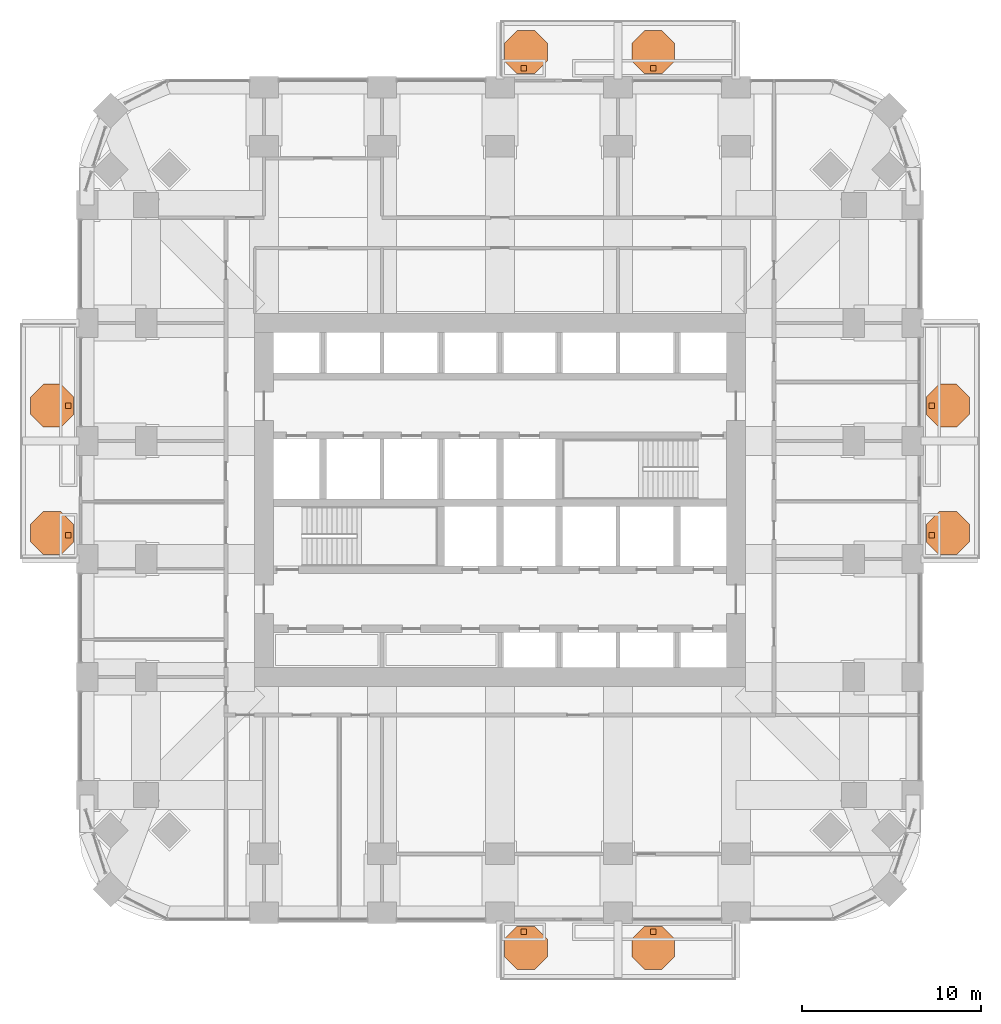
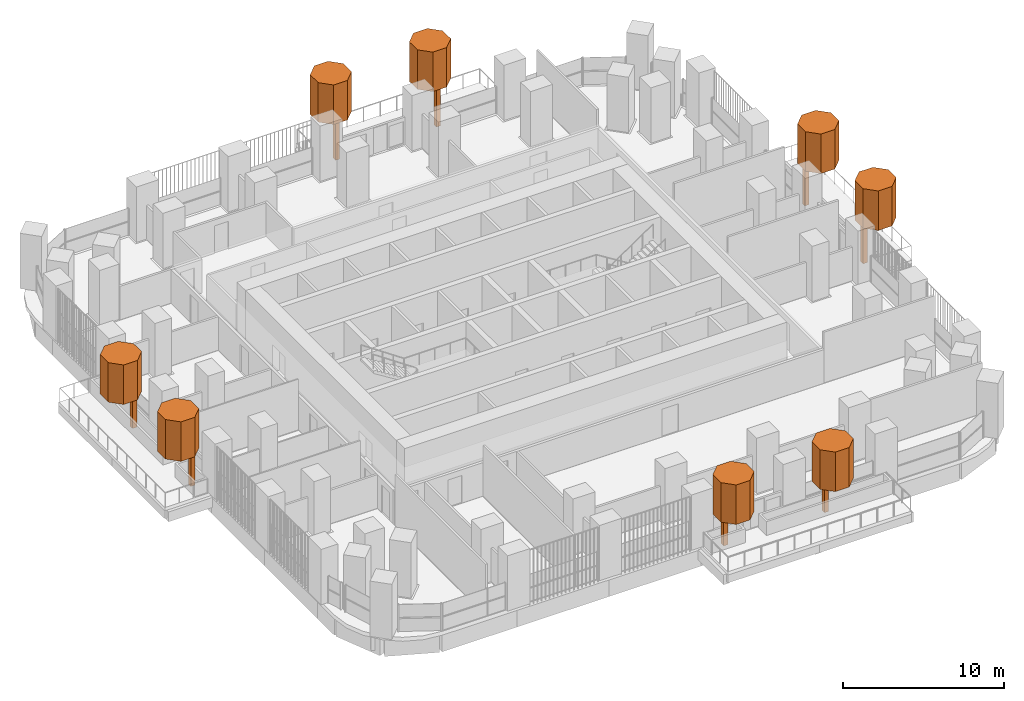
# One storey, part 22 of 22: 16 geographic elements.
"""IFC4 building model written with IfcOpenShell, lengths in metres."""

from ifc_helpers import new_model, si_unit, direction, frame, origin, origin_2d, place, context, subcontext, project, spatial, polyline, rectangle, outline, extrude, material, type_object, element, save


model = new_model("IFC4")

# Units and contexts
model_context = context("Model", 3, precision=1e-05, world=origin(), true_north=direction((0.0, 1.0)))
body_context = subcontext(model_context, "Body", "Model", "MODEL_VIEW")
ifc_project = project(units=[si_unit("LENGTHUNIT", "METRE"), si_unit("AREAUNIT", "SQUARE_METRE"), si_unit("VOLUMEUNIT", "CUBIC_METRE"), si_unit("PLANEANGLEUNIT", "RADIAN"), si_unit("MASSUNIT", "GRAM", prefix="KILO")], contexts=[model_context])

# Site, building, storey
site_placement = place(None, origin())
site = spatial("IfcSite", under=ifc_project, at=site_placement, CompositionType="ELEMENT")
building_placement = place(site_placement, origin())
building = spatial("IfcBuilding", under=site, at=building_placement, Name="Cobogo Forest Laboratory Tower", CompositionType="ELEMENT")
storey_placement = place(building_placement, frame((0.0, 0.0, 145.199951171875)))
storey = spatial("IfcBuildingStorey", under=building, at=storey_placement, Name="L33", CompositionType="ELEMENT", Elevation=145.199951171875)

# Geographic elements
ifc_material = material(Name="Planting", Category="plant")
geographic_element_type_1 = type_object("IfcGeographicElementType", Name="Tree trunk 300", PredefinedType="USERDEFINED", material=ifc_material)
for number, where, z_axis, x_axis, name in (
    (1, (27.72509765625, -1.050048828125, 0.0), (0.0, 0.0, 1.0), (1.0, 0.0, 0.0), "Tree trunk BAL-S1-PL1 L33"),
    (2, (34.97509765625, -1.050048828125, 0.0), (0.0, 0.0, 1.0), (1.0, 0.0, 0.0), "Tree trunk BAL-S1-PL2 L33"),
    (3, (50.550048828125, 21.125, 0.0), (0.0, 0.0, 1.0), (1.0, 0.0, 0.0), "Tree trunk BAL-E1-PL1 L33"),
    (4, (50.550048828125, 28.375, 0.0), (0.0, 0.0, 1.0), (1.0, 0.0, 0.0), "Tree trunk BAL-E1-PL2 L33"),
    (5, (27.72509765625, 47.25, 0.0), (0.0, 0.0, 1.0), (1.0, 0.0, 0.0), "Tree trunk BAL-N1-PL1 L33"),
    (6, (34.97509765625, 47.25, 0.0), (0.0, 0.0, 1.0), (1.0, 0.0, 0.0), "Tree trunk BAL-N1-PL2 L33"),
    (7, (2.25, 21.125, 0.0), (0.0, 0.0, 1.0), (1.0, 0.0, 0.0), "Tree trunk BAL-W1-PL1 L33"),
    (8, (2.25, 28.375, 0.0), (0.0, 0.0, 1.0), (1.0, 0.0, 0.0), "Tree trunk BAL-W1-PL2 L33"),
):
    element("IfcGeographicElement", number, at=place(storey_placement, frame(where, z_axis=z_axis, x_axis=x_axis)), inside=storey, type_object=geographic_element_type_1, Name=name, ObjectType="TREE TRUNK", PredefinedType="USERDEFINED", context=body_context, shape_type="SweptSolid", body=[
        extrude(rectangle(XDim=0.300048828125, YDim=0.300048828125, at=origin_2d()), origin(), (0.0, 0.0, 1.0), 2.89990234375),
    ])
geographic_element_type_2 = type_object("IfcGeographicElementType", Name="Tree, holm oak 5 m", PredefinedType="USERDEFINED", material=ifc_material)
geographic_element_1_placement = place(storey_placement, frame((0.0, 0.0, 2.900146484375)))
element("IfcGeographicElement", 9, at=geographic_element_1_placement, inside=storey, type_object=geographic_element_type_2, Name="Holm tree BAL-S1-PL1 L33", ObjectType="TREE", PredefinedType="USERDEFINED", context=body_context, shape_type="SweptSolid", body=[
    extrude(outline(polyline([(29.050048828125, -2.447021484375), (29.050048828125, -1.452880859375), (28.34716796875, -0.75), (27.35302734375, -0.75), (26.64990234375, -1.452880859375), (26.64990234375, -2.447021484375), (27.35302734375, -3.14990234375), (28.34716796875, -3.14990234375), (29.050048828125, -2.447021484375)])), origin(), (0.0, 0.0, 1.0), 3.0),
])
geographic_element_2_placement = place(storey_placement, frame((0.0, 0.0, 2.900146484375)))
element("IfcGeographicElement", 10, at=geographic_element_2_placement, inside=storey, type_object=geographic_element_type_2, Name="Holm tree BAL-S1-PL2 L33", ObjectType="TREE", PredefinedType="USERDEFINED", context=body_context, shape_type="SweptSolid", body=[
    extrude(outline(polyline([(36.175048828125, -2.447021484375), (36.175048828125, -1.452880859375), (35.47216796875, -0.75), (34.47802734375, -0.75), (33.77490234375, -1.452880859375), (33.77490234375, -2.447021484375), (34.47802734375, -3.14990234375), (35.47216796875, -3.14990234375), (36.175048828125, -2.447021484375)])), origin(), (0.0, 0.0, 1.0), 3.0),
])
geographic_element_3_placement = place(storey_placement, frame((0.0, 0.0, 2.900146484375)))
element("IfcGeographicElement", 11, at=geographic_element_3_placement, inside=storey, type_object=geographic_element_type_2, Name="Holm tree BAL-E1-PL1 L33", ObjectType="TREE", PredefinedType="USERDEFINED", context=body_context, shape_type="SweptSolid", body=[
    extrude(outline(polyline([(52.64990234375, 20.7529296875), (52.64990234375, 21.7470703125), (51.947021484375, 22.449951171875), (50.952880859375, 22.449951171875), (50.25, 21.7470703125), (50.25, 20.7529296875), (50.952880859375, 20.050048828125), (51.947021484375, 20.050048828125), (52.64990234375, 20.7529296875)])), origin(), (0.0, 0.0, 1.0), 3.0),
])
geographic_element_4_placement = place(storey_placement, frame((0.0, 0.0, 2.900146484375)))
element("IfcGeographicElement", 12, at=geographic_element_4_placement, inside=storey, type_object=geographic_element_type_2, Name="Holm tree BAL-E1-PL2 L33", ObjectType="TREE", PredefinedType="USERDEFINED", context=body_context, shape_type="SweptSolid", body=[
    extrude(outline(polyline([(52.64990234375, 27.8779296875), (52.64990234375, 28.8720703125), (51.947021484375, 29.574951171875), (50.952880859375, 29.574951171875), (50.25, 28.8720703125), (50.25, 27.8779296875), (50.952880859375, 27.175048828125), (51.947021484375, 27.175048828125), (52.64990234375, 27.8779296875)])), origin(), (0.0, 0.0, 1.0), 3.0),
])
geographic_element_5_placement = place(storey_placement, frame((0.0, 0.0, 2.900146484375)))
element("IfcGeographicElement", 13, at=geographic_element_5_placement, inside=storey, type_object=geographic_element_type_2, Name="Holm tree BAL-N1-PL1 L33", ObjectType="TREE", PredefinedType="USERDEFINED", context=body_context, shape_type="SweptSolid", body=[
    extrude(outline(polyline([(29.050048828125, 47.65283203125), (29.050048828125, 48.64697265625), (28.34716796875, 49.35009765625), (27.35302734375, 49.35009765625), (26.64990234375, 48.64697265625), (26.64990234375, 47.65283203125), (27.35302734375, 46.949951171875), (28.34716796875, 46.949951171875), (29.050048828125, 47.65283203125)])), origin(), (0.0, 0.0, 1.0), 3.0),
])
geographic_element_6_placement = place(storey_placement, frame((0.0, 0.0, 2.900146484375)))
element("IfcGeographicElement", 14, at=geographic_element_6_placement, inside=storey, type_object=geographic_element_type_2, Name="Holm tree BAL-N1-PL2 L33", ObjectType="TREE", PredefinedType="USERDEFINED", context=body_context, shape_type="SweptSolid", body=[
    extrude(outline(polyline([(36.175048828125, 47.65283203125), (36.175048828125, 48.64697265625), (35.47216796875, 49.35009765625), (34.47802734375, 49.35009765625), (33.77490234375, 48.64697265625), (33.77490234375, 47.65283203125), (34.47802734375, 46.949951171875), (35.47216796875, 46.949951171875), (36.175048828125, 47.65283203125)])), origin(), (0.0, 0.0, 1.0), 3.0),
])
geographic_element_7_placement = place(storey_placement, frame((0.0, 0.0, 2.900146484375)))
element("IfcGeographicElement", 15, at=geographic_element_7_placement, inside=storey, type_object=geographic_element_type_2, Name="Holm tree BAL-W1-PL1 L33", ObjectType="TREE", PredefinedType="USERDEFINED", context=body_context, shape_type="SweptSolid", body=[
    extrude(outline(polyline([(2.550048828125, 20.7529296875), (2.550048828125, 21.7470703125), (1.84716796875, 22.449951171875), (0.85302734375, 22.449951171875), (0.14990234375, 21.7470703125), (0.14990234375, 20.7529296875), (0.85302734375, 20.050048828125), (1.84716796875, 20.050048828125), (2.550048828125, 20.7529296875)])), origin(), (0.0, 0.0, 1.0), 3.0),
])
geographic_element_8_placement = place(storey_placement, frame((0.0, 0.0, 2.900146484375)))
element("IfcGeographicElement", 16, at=geographic_element_8_placement, inside=storey, type_object=geographic_element_type_2, Name="Holm tree BAL-W1-PL2 L33", ObjectType="TREE", PredefinedType="USERDEFINED", context=body_context, shape_type="SweptSolid", body=[
    extrude(outline(polyline([(2.550048828125, 27.8779296875), (2.550048828125, 28.8720703125), (1.84716796875, 29.574951171875), (0.85302734375, 29.574951171875), (0.14990234375, 28.8720703125), (0.14990234375, 27.8779296875), (0.85302734375, 27.175048828125), (1.84716796875, 27.175048828125), (2.550048828125, 27.8779296875)])), origin(), (0.0, 0.0, 1.0), 3.0),
])

save(model, "model.ifc")
